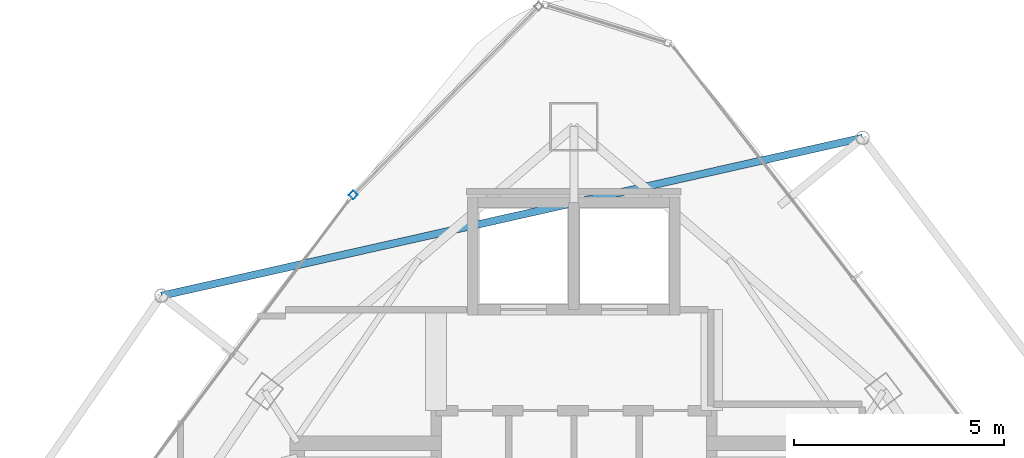
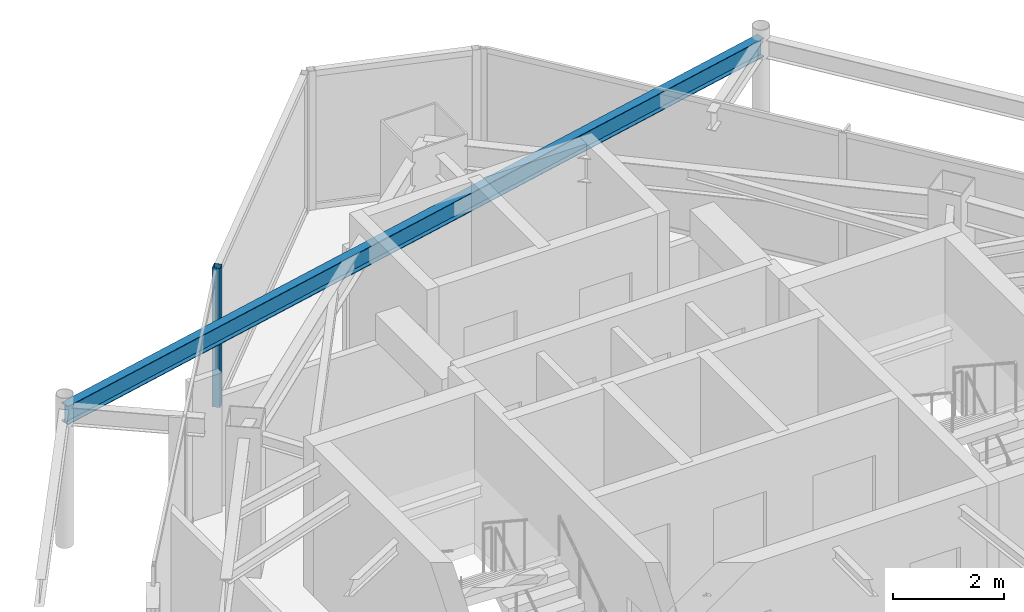
# One storey, part 21 of 30: 1 beam, 1 member, 1 element without a shape of its own.
"""IFC4 building model written with IfcOpenShell, lengths in metres."""

from ifc_helpers import new_model, si_unit, direction, frame, origin, origin_2d, place, context, subcontext, project, spatial, hollow_rectangle, i_section, extrude, material, layer, layer_set, material_profile, profile_set, type_object, element, aggregate, save


model = new_model("IFC4")

# Units and contexts
model_context = context("Model", 3, precision=1e-05, world=origin(), true_north=direction((0.0, 1.0)))
body_context = subcontext(model_context, "Body", "Model", "MODEL_VIEW")
ifc_project = project(units=[si_unit("LENGTHUNIT", "METRE"), si_unit("AREAUNIT", "SQUARE_METRE"), si_unit("VOLUMEUNIT", "CUBIC_METRE"), si_unit("PLANEANGLEUNIT", "RADIAN"), si_unit("MASSUNIT", "GRAM", prefix="KILO")], contexts=[model_context])

# Site, building, storey
site_placement = place(None, origin())
site = spatial("IfcSite", under=ifc_project, at=site_placement, CompositionType="ELEMENT")
building_placement = place(site_placement, origin())
building = spatial("IfcBuilding", under=site, at=building_placement, Name="Orvanel Arch Residences", CompositionType="ELEMENT")
storey_placement = place(building_placement, frame((0.0, 0.0, 270.050048828125)))
storey = spatial("IfcBuildingStorey", under=building, at=storey_placement, Name="L77", CompositionType="ELEMENT", Elevation=270.050048828125)

# Curtain wall, member
ifc_material_1 = material(Name="Bronze-anodised aluminium AA6063-T6", Category="aluminium")
ifc_layer = layer(ifc_material_1, 0.18994140625)
ifc_layer_set = layer_set([ifc_layer], Name="Bronze-anodised aluminium AA6063-T6")
curtain_wall_type = type_object("IfcCurtainWallType", Name="CW5-CRN-SYS", PredefinedType="NOTDEFINED", material=ifc_layer_set)
curtain_wall_placement = place(storey_placement, origin())
curtain_wall = element("IfcCurtainWall", 1, at=curtain_wall_placement, inside=storey, type_object=curtain_wall_type, Name="L77 CW5-CRN-SYS Unitised Curtain Wall", PredefinedType="NOTDEFINED")
ifc_material_profile_1 = material_profile(ifc_material_1, hollow_rectangle(XDim=0.14990234375, YDim=0.14990234375, WallThickness=0.0048828125, at=origin_2d()), Name="ALU150x150x5")
ifc_profile_set_1 = profile_set([ifc_material_profile_1], Name="Bronze-anodised aluminium AA6063-T6")
member_type = type_object("IfcMemberType", Name="MUL-150x150", PredefinedType="MULLION", material=ifc_profile_set_1)
member_placement = place(storey_placement, frame((27.753662109375, 39.7763671875, 0.0), z_axis=(0.0, 0.0, 1.0), x_axis=(0.712987423362, -0.701176820871, 0.0)))
member = element("IfcMember", 2, at=member_placement, type_object=member_type, Name="CW-S5 mullion 2", PredefinedType="MULLION", context=body_context, shape_type="SweptSolid", body=[
    extrude(hollow_rectangle(XDim=0.14990234375, YDim=0.14990234375, WallThickness=0.0048828125, at=origin_2d()), origin(), (0.0, 0.0, 1.0), 3.06005859375),
])
aggregate(curtain_wall, [member])

# Beam
ifc_material_2 = material(Name="Structural steel AS/NZS 3679.1 Grade 300 (300 MPa)", Category="steel")
ifc_material_profile_2 = material_profile(ifc_material_2, i_section(OverallWidth=0.177978515625, OverallDepth=0.406005859375, WebThickness=0.0078125, FlangeThickness=0.0126953125, at=origin_2d()), Name="410UB59.7")
ifc_profile_set_2 = profile_set([ifc_material_profile_2], Name="Structural steel AS/NZS 3679.1 Grade 300 (300 MPa)")
beam_type = type_object("IfcBeamType", Name="OB-410UB-EXT", PredefinedType="SPANDREL", material=ifc_profile_set_2)
beam_placement = place(storey_placement, frame((39.860107421875, 41.134033203125, 2.85693359375), z_axis=(-0.975565659336, -0.219708088891, 0.0), x_axis=(0.219708088891, -0.975565659336, 0.0)))
element("IfcBeam", 3, at=beam_placement, inside=storey, type_object=beam_type, Name="L77 Outer Perimeter Floor Ring Beam 12", PredefinedType="SPANDREL", context=body_context, shape_type="SweptSolid", body=[
    extrude(i_section(OverallWidth=0.177978515625, OverallDepth=0.406005859375, WebThickness=0.0078125, FlangeThickness=0.0126953125, at=origin_2d()), origin(), (0.0, 0.0, 1.0), 17.08154296875),
])

save(model, "model.ifc")
